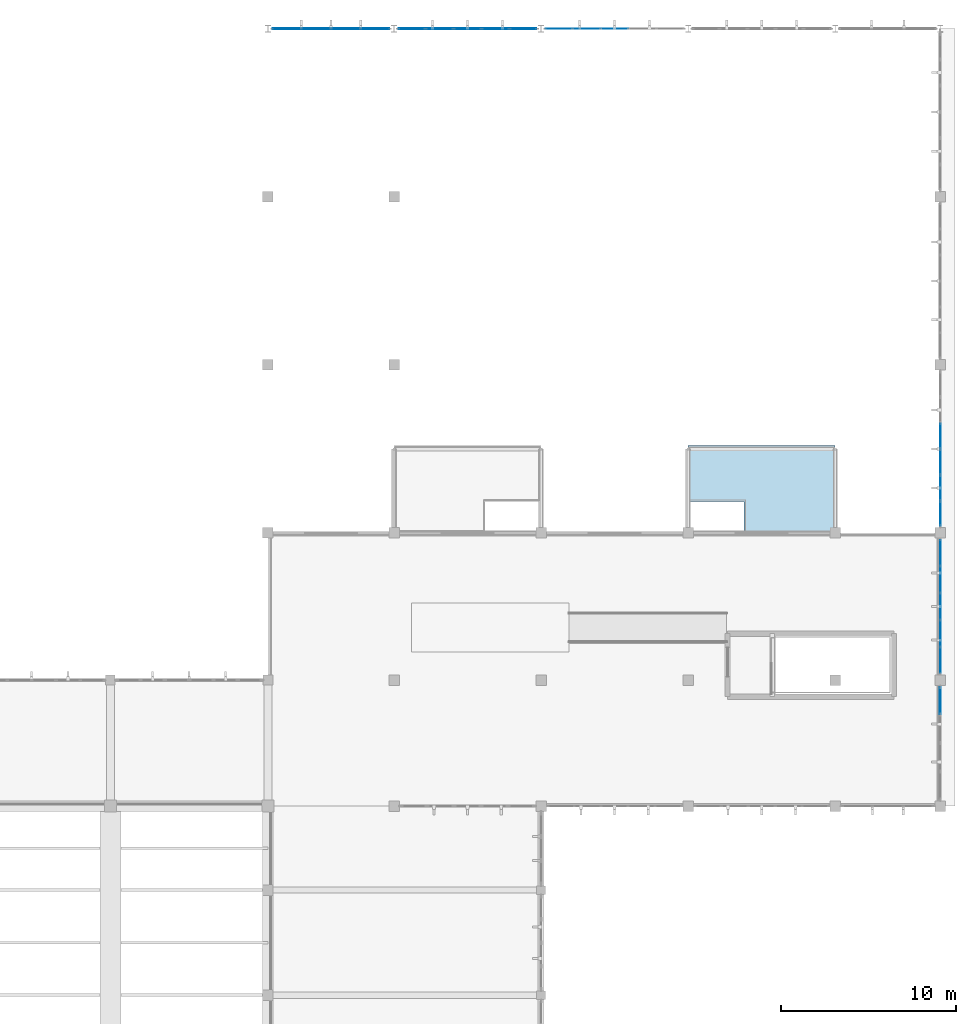
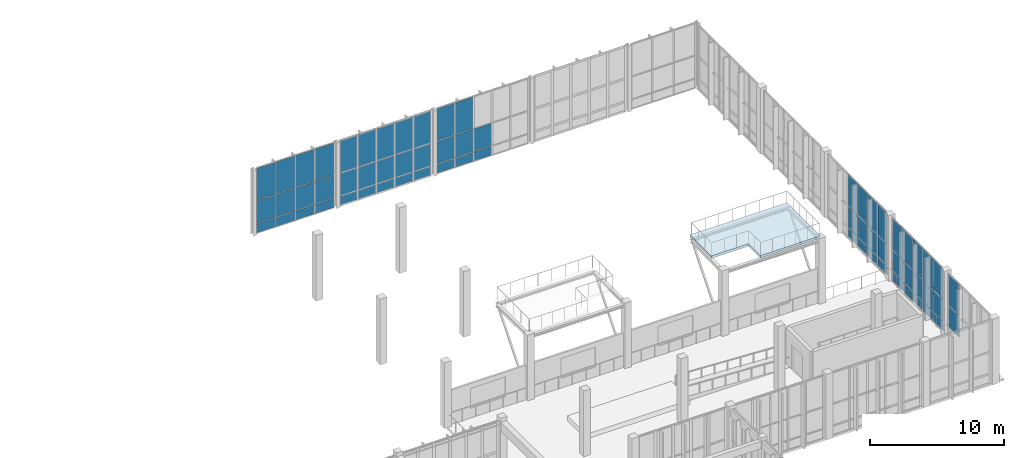
# One storey, part 67 of 105: 64 plates, 1 slab, 6 elements without a shape of their own.
"""IFC4 building model written with IfcOpenShell, lengths in metres."""

from ifc_helpers import new_model, si_unit, direction, frame, origin, origin_2d, place, context, subcontext, project, spatial, polyline, rectangle, outline, extrude, material, layer, layer_set, type_object, element, aggregate, save


model = new_model("IFC4")

# Units and contexts
model_context = context("Model", 3, precision=1e-05, world=origin(), true_north=direction((0.0, 1.0)))
body_context = subcontext(model_context, "Body", "Model", "MODEL_VIEW")
ifc_project = project(units=[si_unit("LENGTHUNIT", "METRE"), si_unit("AREAUNIT", "SQUARE_METRE"), si_unit("VOLUMEUNIT", "CUBIC_METRE"), si_unit("PLANEANGLEUNIT", "RADIAN"), si_unit("MASSUNIT", "GRAM", prefix="KILO")], contexts=[model_context])

# Site, building, storey
site_placement = place(None, origin())
site = spatial("IfcSite", under=ifc_project, at=site_placement, CompositionType="ELEMENT")
building_placement = place(site_placement, origin())
building = spatial("IfcBuilding", under=site, at=building_placement, Name="Tizgana Railside Sports Hall", CompositionType="ELEMENT")
storey_placement = place(building_placement, frame((0.0, 0.0, 6.0)))
storey = spatial("IfcBuildingStorey", under=building, at=storey_placement, Name="L01", CompositionType="ELEMENT", Elevation=6.0)

# Curtain wall, plates
ifc_material_1 = material(Name="Anodised aluminium and glass", Category="aluminium")
curtain_wall_type_1 = type_object("IfcCurtainWallType", Name="Unitised Curtain Wall Passage 1800", PredefinedType="NOTDEFINED", material=ifc_material_1)
curtain_wall_1_placement = place(storey_placement, origin())
curtain_wall_1 = element("IfcCurtainWall", 1, at=curtain_wall_1_placement, inside=storey, type_object=curtain_wall_type_1, Name="L01 Curtain Wall CW-0045", PredefinedType="NOTDEFINED")
ifc_material_2 = material(Name="Double low-E laminated glass", Category="glass")
ifc_layer_1 = layer(ifc_material_2, 0.033935546875, Name="Double low-E laminated glass")
ifc_layer_set_1 = layer_set([ifc_layer_1], Name="Double low-E laminated glass")
plate_type_1 = type_object("IfcPlateType", Name="Acoustic Laminated Glazing Panel 34", PredefinedType="CURTAIN_PANEL", material=ifc_layer_set_1)
plate_1_placement = place(storey_placement, frame((142.020263671875, 117.60009765625, 0.06494140625), z_axis=(0.0, 0.0, 1.0), x_axis=(1.0, 0.0, 0.0)))
plate_1 = element("IfcPlate", 2, at=plate_1_placement, type_object=plate_type_1, Name="CW-06 panel 1.1", PredefinedType="CURTAIN_PANEL", context=body_context, shape_type="SweptSolid", body=[
    extrude(rectangle(XDim=1.50048828125, YDim=0.033935546875, at=origin_2d()), origin(), (0.0, 0.0, 1.0), 0.802490234375),
])
plate_2_placement = place(storey_placement, frame((142.020263671875, 117.60009765625, 0.9326171875), z_axis=(0.0, 0.0, 1.0), x_axis=(1.0, 0.0, 0.0)))
plate_2 = element("IfcPlate", 3, at=plate_2_placement, type_object=plate_type_1, Name="CW-06 panel 1.2", PredefinedType="CURTAIN_PANEL", context=body_context, shape_type="SweptSolid", body=[
    extrude(rectangle(XDim=1.50048828125, YDim=0.033935546875, at=origin_2d()), origin(), (0.0, 0.0, 1.0), 2.034912109375),
])
plate_3_placement = place(storey_placement, frame((142.020263671875, 117.60009765625, 3.0322265625), z_axis=(0.0, 0.0, 1.0), x_axis=(1.0, 0.0, 0.0)))
plate_3 = element("IfcPlate", 4, at=plate_3_placement, type_object=plate_type_1, Name="CW-06 panel 1.3", PredefinedType="CURTAIN_PANEL", context=body_context, shape_type="SweptSolid", body=[
    extrude(rectangle(XDim=1.50048828125, YDim=0.033935546875, at=origin_2d()), origin(), (0.0, 0.0, 1.0), 2.902587890625),
])
plate_4_placement = place(storey_placement, frame((143.60205078125, 117.60009765625, 0.06494140625), z_axis=(0.0, 0.0, 1.0), x_axis=(1.0, 0.0, 0.0)))
plate_4 = element("IfcPlate", 5, at=plate_4_placement, type_object=plate_type_1, Name="CW-06 panel 2.1", PredefinedType="CURTAIN_PANEL", context=body_context, shape_type="SweptSolid", body=[
    extrude(rectangle(XDim=1.532958984375, YDim=0.033935546875, at=origin_2d()), origin(), (0.0, 0.0, 1.0), 0.802490234375),
])
plate_5_placement = place(storey_placement, frame((143.60205078125, 117.60009765625, 0.9326171875), z_axis=(0.0, 0.0, 1.0), x_axis=(1.0, 0.0, 0.0)))
plate_5 = element("IfcPlate", 6, at=plate_5_placement, type_object=plate_type_1, Name="CW-06 panel 2.2", PredefinedType="CURTAIN_PANEL", context=body_context, shape_type="SweptSolid", body=[
    extrude(rectangle(XDim=1.532958984375, YDim=0.033935546875, at=origin_2d()), origin(), (0.0, 0.0, 1.0), 2.034912109375),
])
plate_6_placement = place(storey_placement, frame((143.60205078125, 117.60009765625, 3.0322265625), z_axis=(0.0, 0.0, 1.0), x_axis=(1.0, 0.0, 0.0)))
plate_6 = element("IfcPlate", 7, at=plate_6_placement, type_object=plate_type_1, Name="CW-06 panel 2.3", PredefinedType="CURTAIN_PANEL", context=body_context, shape_type="SweptSolid", body=[
    extrude(rectangle(XDim=1.532958984375, YDim=0.033935546875, at=origin_2d()), origin(), (0.0, 0.0, 1.0), 2.902587890625),
])
plate_7_placement = place(storey_placement, frame((145.199951171875, 117.60009765625, 0.06494140625), z_axis=(0.0, 0.0, 1.0), x_axis=(1.0, 0.0, 0.0)))
plate_7 = element("IfcPlate", 8, at=plate_7_placement, type_object=plate_type_1, Name="CW-06 panel 3.1", PredefinedType="CURTAIN_PANEL", context=body_context, shape_type="SweptSolid", body=[
    extrude(rectangle(XDim=1.532958984375, YDim=0.033935546875, at=origin_2d()), origin(), (0.0, 0.0, 1.0), 0.802490234375),
])
plate_8_placement = place(storey_placement, frame((145.199951171875, 117.60009765625, 0.9326171875), z_axis=(0.0, 0.0, 1.0), x_axis=(1.0, 0.0, 0.0)))
plate_8 = element("IfcPlate", 9, at=plate_8_placement, type_object=plate_type_1, Name="CW-06 panel 3.2", PredefinedType="CURTAIN_PANEL", context=body_context, shape_type="SweptSolid", body=[
    extrude(rectangle(XDim=1.532958984375, YDim=0.033935546875, at=origin_2d()), origin(), (0.0, 0.0, 1.0), 2.034912109375),
])
plate_9_placement = place(storey_placement, frame((145.199951171875, 117.60009765625, 3.0322265625), z_axis=(0.0, 0.0, 1.0), x_axis=(1.0, 0.0, 0.0)))
plate_9 = element("IfcPlate", 10, at=plate_9_placement, type_object=plate_type_1, Name="CW-06 panel 3.3", PredefinedType="CURTAIN_PANEL", context=body_context, shape_type="SweptSolid", body=[
    extrude(rectangle(XDim=1.532958984375, YDim=0.033935546875, at=origin_2d()), origin(), (0.0, 0.0, 1.0), 2.902587890625),
])
plate_10_placement = place(storey_placement, frame((146.798095703125, 117.60009765625, 0.06494140625), z_axis=(0.0, 0.0, 1.0), x_axis=(1.0, 0.0, 0.0)))
plate_10 = element("IfcPlate", 11, at=plate_10_placement, type_object=plate_type_1, Name="CW-06 panel 4.1", PredefinedType="CURTAIN_PANEL", context=body_context, shape_type="SweptSolid", body=[
    extrude(rectangle(XDim=1.532958984375, YDim=0.033935546875, at=origin_2d()), origin(), (0.0, 0.0, 1.0), 0.802490234375),
])
plate_11_placement = place(storey_placement, frame((146.798095703125, 117.60009765625, 0.9326171875), z_axis=(0.0, 0.0, 1.0), x_axis=(1.0, 0.0, 0.0)))
plate_11 = element("IfcPlate", 12, at=plate_11_placement, type_object=plate_type_1, Name="CW-06 panel 4.2", PredefinedType="CURTAIN_PANEL", context=body_context, shape_type="SweptSolid", body=[
    extrude(rectangle(XDim=1.532958984375, YDim=0.033935546875, at=origin_2d()), origin(), (0.0, 0.0, 1.0), 2.034912109375),
])
plate_12_placement = place(storey_placement, frame((146.798095703125, 117.60009765625, 3.0322265625), z_axis=(0.0, 0.0, 1.0), x_axis=(1.0, 0.0, 0.0)))
plate_12 = element("IfcPlate", 13, at=plate_12_placement, type_object=plate_type_1, Name="CW-06 panel 4.3", PredefinedType="CURTAIN_PANEL", context=body_context, shape_type="SweptSolid", body=[
    extrude(rectangle(XDim=1.532958984375, YDim=0.033935546875, at=origin_2d()), origin(), (0.0, 0.0, 1.0), 2.902587890625),
])
plate_13_placement = place(storey_placement, frame((148.379638671875, 117.60009765625, 0.06494140625), z_axis=(0.0, 0.0, 1.0), x_axis=(1.0, 0.0, 0.0)))
plate_13 = element("IfcPlate", 14, at=plate_13_placement, type_object=plate_type_1, Name="CW-06 panel 5.1", PredefinedType="CURTAIN_PANEL", context=body_context, shape_type="SweptSolid", body=[
    extrude(rectangle(XDim=1.50048828125, YDim=0.033935546875, at=origin_2d()), origin(), (0.0, 0.0, 1.0), 0.802490234375),
])
plate_14_placement = place(storey_placement, frame((148.379638671875, 117.60009765625, 0.9326171875), z_axis=(0.0, 0.0, 1.0), x_axis=(1.0, 0.0, 0.0)))
plate_14 = element("IfcPlate", 15, at=plate_14_placement, type_object=plate_type_1, Name="CW-06 panel 5.2", PredefinedType="CURTAIN_PANEL", context=body_context, shape_type="SweptSolid", body=[
    extrude(rectangle(XDim=1.50048828125, YDim=0.033935546875, at=origin_2d()), origin(), (0.0, 0.0, 1.0), 2.034912109375),
])
plate_15_placement = place(storey_placement, frame((148.379638671875, 117.60009765625, 3.0322265625), z_axis=(0.0, 0.0, 1.0), x_axis=(1.0, 0.0, 0.0)))
plate_15 = element("IfcPlate", 16, at=plate_15_placement, type_object=plate_type_1, Name="CW-06 panel 5.3", PredefinedType="CURTAIN_PANEL", context=body_context, shape_type="SweptSolid", body=[
    extrude(rectangle(XDim=1.50048828125, YDim=0.033935546875, at=origin_2d()), origin(), (0.0, 0.0, 1.0), 2.902587890625),
])
aggregate(curtain_wall_1, [plate_1, plate_2, plate_3, plate_4, plate_5, plate_6, plate_7, plate_8, plate_9, plate_10, plate_11, plate_12, plate_13, plate_14, plate_15])

curtain_wall_type_2 = type_object("IfcCurtainWallType", Name="Unitised Curtain Wall Foyer 1300", PredefinedType="NOTDEFINED", material=ifc_material_1)
curtain_wall_2_placement = place(storey_placement, origin())
curtain_wall_2 = element("IfcCurtainWall", 17, at=curtain_wall_2_placement, inside=storey, type_object=curtain_wall_type_2, Name="L01 Curtain Wall CW-0057", PredefinedType="NOTDEFINED")
plate_16_placement = place(storey_placement, frame((172.199951171875, 79.217529296875, 0.932373046875), z_axis=(0.0, 0.0, 1.0), x_axis=(0.0, 1.0, 0.0)))
plate_16 = element("IfcPlate", 18, at=plate_16_placement, type_object=plate_type_1, Name="CW-02 panel 4.2", PredefinedType="CURTAIN_PANEL", context=body_context, shape_type="SweptSolid", body=[
    extrude(rectangle(XDim=1.52490234375, YDim=0.033935546875, at=origin_2d()), origin(), (0.0, 0.0, 1.0), 1.93505859375),
])
plate_17_placement = place(storey_placement, frame((172.199951171875, 79.217529296875, 2.9326171875), z_axis=(0.0, 0.0, 1.0), x_axis=(0.0, 1.0, 0.0)))
plate_17 = element("IfcPlate", 19, at=plate_17_placement, type_object=plate_type_1, Name="CW-02 panel 4.3", PredefinedType="CURTAIN_PANEL", context=body_context, shape_type="SweptSolid", body=[
    extrude(rectangle(XDim=1.52490234375, YDim=0.033935546875, at=origin_2d()), origin(), (0.0, 0.0, 1.0), 2.802490234375),
])
aggregate(curtain_wall_2, [plate_16, plate_17])

curtain_wall_type_3 = type_object("IfcCurtainWallType", Name="Unitised Curtain Wall Studio 1400", PredefinedType="NOTDEFINED", material=ifc_material_1)
curtain_wall_3_placement = place(storey_placement, origin())
curtain_wall_3 = element("IfcCurtainWall", 20, at=curtain_wall_3_placement, inside=storey, type_object=curtain_wall_type_3, Name="L01 Curtain Wall CW-0042", PredefinedType="NOTDEFINED")
ifc_layer_2 = layer(ifc_material_2, 0.0400390625, Name="Double low-E laminated glass")
ifc_layer_set_2 = layer_set([ifc_layer_2], Name="Double low-E laminated glass")
plate_type_2 = type_object("IfcPlateType", Name="High-Span Tempered Glazing Panel 40", PredefinedType="CURTAIN_PANEL", material=ifc_layer_set_2)
plate_18_placement = place(storey_placement, frame((134.86865234375, 117.60009765625, 0.06005859375), z_axis=(0.0, 0.0, 1.0), x_axis=(1.0, 0.0, 0.0)))
plate_18 = element("IfcPlate", 21, at=plate_18_placement, type_object=plate_type_2, Name="CW-03 panel 1.1", PredefinedType="CURTAIN_PANEL", context=body_context, shape_type="SweptSolid", body=[
    extrude(rectangle(XDim=1.607421875, YDim=0.0400390625, at=origin_2d()), origin(), (0.0, 0.0, 1.0), 0.81005859375),
])
plate_19_placement = place(storey_placement, frame((134.86865234375, 117.60009765625, 0.929931640625), z_axis=(0.0, 0.0, 1.0), x_axis=(1.0, 0.0, 0.0)))
plate_19 = element("IfcPlate", 22, at=plate_19_placement, type_object=plate_type_2, Name="CW-03 panel 1.2", PredefinedType="CURTAIN_PANEL", context=body_context, shape_type="SweptSolid", body=[
    extrude(rectangle(XDim=1.607421875, YDim=0.0400390625, at=origin_2d()), origin(), (0.0, 0.0, 1.0), 2.0400390625),
])
plate_20_placement = place(storey_placement, frame((134.86865234375, 117.60009765625, 3.0302734375), z_axis=(0.0, 0.0, 1.0), x_axis=(1.0, 0.0, 0.0)))
plate_20 = element("IfcPlate", 23, at=plate_20_placement, type_object=plate_type_2, Name="CW-03 panel 1.3", PredefinedType="CURTAIN_PANEL", context=body_context, shape_type="SweptSolid", body=[
    extrude(rectangle(XDim=1.607421875, YDim=0.0400390625, at=origin_2d()), origin(), (0.0, 0.0, 1.0), 2.909912109375),
])
plate_21_placement = place(storey_placement, frame((136.55126953125, 117.60009765625, 0.06005859375), z_axis=(0.0, 0.0, 1.0), x_axis=(1.0, 0.0, 0.0)))
plate_21 = element("IfcPlate", 24, at=plate_21_placement, type_object=plate_type_2, Name="CW-03 panel 2.1", PredefinedType="CURTAIN_PANEL", context=body_context, shape_type="SweptSolid", body=[
    extrude(rectangle(XDim=1.637451171875, YDim=0.0400390625, at=origin_2d()), origin(), (0.0, 0.0, 1.0), 0.81005859375),
])
plate_22_placement = place(storey_placement, frame((136.55126953125, 117.60009765625, 0.929931640625), z_axis=(0.0, 0.0, 1.0), x_axis=(1.0, 0.0, 0.0)))
plate_22 = element("IfcPlate", 25, at=plate_22_placement, type_object=plate_type_2, Name="CW-03 panel 2.2", PredefinedType="CURTAIN_PANEL", context=body_context, shape_type="SweptSolid", body=[
    extrude(rectangle(XDim=1.637451171875, YDim=0.0400390625, at=origin_2d()), origin(), (0.0, 0.0, 1.0), 2.0400390625),
])
plate_23_placement = place(storey_placement, frame((136.55126953125, 117.60009765625, 3.0302734375), z_axis=(0.0, 0.0, 1.0), x_axis=(1.0, 0.0, 0.0)))
plate_23 = element("IfcPlate", 26, at=plate_23_placement, type_object=plate_type_2, Name="CW-03 panel 2.3", PredefinedType="CURTAIN_PANEL", context=body_context, shape_type="SweptSolid", body=[
    extrude(rectangle(XDim=1.637451171875, YDim=0.0400390625, at=origin_2d()), origin(), (0.0, 0.0, 1.0), 2.909912109375),
])
plate_24_placement = place(storey_placement, frame((138.248779296875, 117.60009765625, 0.06005859375), z_axis=(0.0, 0.0, 1.0), x_axis=(1.0, 0.0, 0.0)))
plate_24 = element("IfcPlate", 27, at=plate_24_placement, type_object=plate_type_2, Name="CW-03 panel 3.1", PredefinedType="CURTAIN_PANEL", context=body_context, shape_type="SweptSolid", body=[
    extrude(rectangle(XDim=1.637451171875, YDim=0.0400390625, at=origin_2d()), origin(), (0.0, 0.0, 1.0), 0.81005859375),
])
plate_25_placement = place(storey_placement, frame((138.248779296875, 117.60009765625, 0.929931640625), z_axis=(0.0, 0.0, 1.0), x_axis=(1.0, 0.0, 0.0)))
plate_25 = element("IfcPlate", 28, at=plate_25_placement, type_object=plate_type_2, Name="CW-03 panel 3.2", PredefinedType="CURTAIN_PANEL", context=body_context, shape_type="SweptSolid", body=[
    extrude(rectangle(XDim=1.637451171875, YDim=0.0400390625, at=origin_2d()), origin(), (0.0, 0.0, 1.0), 2.0400390625),
])
plate_26_placement = place(storey_placement, frame((138.248779296875, 117.60009765625, 3.0302734375), z_axis=(0.0, 0.0, 1.0), x_axis=(1.0, 0.0, 0.0)))
plate_26 = element("IfcPlate", 29, at=plate_26_placement, type_object=plate_type_2, Name="CW-03 panel 3.3", PredefinedType="CURTAIN_PANEL", context=body_context, shape_type="SweptSolid", body=[
    extrude(rectangle(XDim=1.637451171875, YDim=0.0400390625, at=origin_2d()), origin(), (0.0, 0.0, 1.0), 2.909912109375),
])
plate_27_placement = place(storey_placement, frame((139.93115234375, 117.60009765625, 0.06005859375), z_axis=(0.0, 0.0, 1.0), x_axis=(1.0, 0.0, 0.0)))
plate_27 = element("IfcPlate", 30, at=plate_27_placement, type_object=plate_type_2, Name="CW-03 panel 4.1", PredefinedType="CURTAIN_PANEL", context=body_context, shape_type="SweptSolid", body=[
    extrude(rectangle(XDim=1.607421875, YDim=0.0400390625, at=origin_2d()), origin(), (0.0, 0.0, 1.0), 0.81005859375),
])
plate_28_placement = place(storey_placement, frame((139.93115234375, 117.60009765625, 0.929931640625), z_axis=(0.0, 0.0, 1.0), x_axis=(1.0, 0.0, 0.0)))
plate_28 = element("IfcPlate", 31, at=plate_28_placement, type_object=plate_type_2, Name="CW-03 panel 4.2", PredefinedType="CURTAIN_PANEL", context=body_context, shape_type="SweptSolid", body=[
    extrude(rectangle(XDim=1.607421875, YDim=0.0400390625, at=origin_2d()), origin(), (0.0, 0.0, 1.0), 2.0400390625),
])
plate_29_placement = place(storey_placement, frame((139.93115234375, 117.60009765625, 3.0302734375), z_axis=(0.0, 0.0, 1.0), x_axis=(1.0, 0.0, 0.0)))
plate_29 = element("IfcPlate", 32, at=plate_29_placement, type_object=plate_type_2, Name="CW-03 panel 4.3", PredefinedType="CURTAIN_PANEL", context=body_context, shape_type="SweptSolid", body=[
    extrude(rectangle(XDim=1.607421875, YDim=0.0400390625, at=origin_2d()), origin(), (0.0, 0.0, 1.0), 2.909912109375),
])
aggregate(curtain_wall_3, [plate_18, plate_19, plate_20, plate_21, plate_22, plate_23, plate_24, plate_25, plate_26, plate_27, plate_28, plate_29])

curtain_wall_type_4 = type_object("IfcCurtainWallType", Name="Unitised Curtain Wall EastHall 1500", PredefinedType="NOTDEFINED", material=ifc_material_1)
curtain_wall_4_placement = place(storey_placement, origin())
curtain_wall_4 = element("IfcCurtainWall", 33, at=curtain_wall_4_placement, inside=storey, type_object=curtain_wall_type_4, Name="L01 Curtain Wall CW-0063", PredefinedType="NOTDEFINED")
ifc_layer_3 = layer(ifc_material_2, 0.031982421875, Name="Double low-E laminated glass")
ifc_layer_set_3 = layer_set([ifc_layer_3], Name="Double low-E laminated glass")
plate_type_3 = type_object("IfcPlateType", Name="North-Light Clerestory Glazing Panel 32", PredefinedType="CURTAIN_PANEL", material=ifc_layer_set_3)
plate_30_placement = place(storey_placement, frame((172.199951171875, 89.912109375, 0.06494140625), z_axis=(0.0, 0.0, 1.0), x_axis=(0.0, 1.0, 0.0)))
plate_30 = element("IfcPlate", 34, at=plate_30_placement, type_object=plate_type_3, Name="CW-08 panel 1.1", PredefinedType="CURTAIN_PANEL", context=body_context, shape_type="SweptSolid", body=[
    extrude(rectangle(XDim=1.38427734375, YDim=0.031982421875, at=origin_2d()), origin(), (0.0, 0.0, 1.0), 0.802490234375),
])
plate_31_placement = place(storey_placement, frame((172.199951171875, 89.912109375, 0.932373046875), z_axis=(0.0, 0.0, 1.0), x_axis=(0.0, 1.0, 0.0)))
plate_31 = element("IfcPlate", 35, at=plate_31_placement, type_object=plate_type_3, Name="CW-08 panel 1.2", PredefinedType="CURTAIN_PANEL", context=body_context, shape_type="SweptSolid", body=[
    extrude(rectangle(XDim=1.38427734375, YDim=0.031982421875, at=origin_2d()), origin(), (0.0, 0.0, 1.0), 1.93505859375),
])
plate_32_placement = place(storey_placement, frame((172.199951171875, 89.912109375, 2.9326171875), z_axis=(0.0, 0.0, 1.0), x_axis=(0.0, 1.0, 0.0)))
plate_32 = element("IfcPlate", 36, at=plate_32_placement, type_object=plate_type_3, Name="CW-08 panel 1.3", PredefinedType="CURTAIN_PANEL", context=body_context, shape_type="SweptSolid", body=[
    extrude(rectangle(XDim=1.38427734375, YDim=0.031982421875, at=origin_2d()), origin(), (0.0, 0.0, 1.0), 2.802490234375),
])
plate_33_placement = place(storey_placement, frame((172.199951171875, 91.37744140625, 0.06494140625), z_axis=(0.0, 0.0, 1.0), x_axis=(0.0, 1.0, 0.0)))
plate_33 = element("IfcPlate", 37, at=plate_33_placement, type_object=plate_type_3, Name="CW-08 panel 2.1", PredefinedType="CURTAIN_PANEL", context=body_context, shape_type="SweptSolid", body=[
    extrude(rectangle(XDim=1.416748046875, YDim=0.031982421875, at=origin_2d()), origin(), (0.0, 0.0, 1.0), 0.802490234375),
])
plate_34_placement = place(storey_placement, frame((172.199951171875, 91.37744140625, 0.932373046875), z_axis=(0.0, 0.0, 1.0), x_axis=(0.0, 1.0, 0.0)))
plate_34 = element("IfcPlate", 38, at=plate_34_placement, type_object=plate_type_3, Name="CW-08 panel 2.2", PredefinedType="CURTAIN_PANEL", context=body_context, shape_type="SweptSolid", body=[
    extrude(rectangle(XDim=1.416748046875, YDim=0.031982421875, at=origin_2d()), origin(), (0.0, 0.0, 1.0), 1.93505859375),
])
plate_35_placement = place(storey_placement, frame((172.199951171875, 91.37744140625, 2.9326171875), z_axis=(0.0, 0.0, 1.0), x_axis=(0.0, 1.0, 0.0)))
plate_35 = element("IfcPlate", 39, at=plate_35_placement, type_object=plate_type_3, Name="CW-08 panel 2.3", PredefinedType="CURTAIN_PANEL", context=body_context, shape_type="SweptSolid", body=[
    extrude(rectangle(XDim=1.416748046875, YDim=0.031982421875, at=origin_2d()), origin(), (0.0, 0.0, 1.0), 2.802490234375),
])
plate_36_placement = place(storey_placement, frame((172.199951171875, 92.859130859375, 0.06494140625), z_axis=(0.0, 0.0, 1.0), x_axis=(0.0, 1.0, 0.0)))
plate_36 = element("IfcPlate", 40, at=plate_36_placement, type_object=plate_type_3, Name="CW-08 panel 3.1", PredefinedType="CURTAIN_PANEL", context=body_context, shape_type="SweptSolid", body=[
    extrude(rectangle(XDim=1.416748046875, YDim=0.031982421875, at=origin_2d()), origin(), (0.0, 0.0, 1.0), 0.802490234375),
])
plate_37_placement = place(storey_placement, frame((172.199951171875, 92.859130859375, 0.932373046875), z_axis=(0.0, 0.0, 1.0), x_axis=(0.0, 1.0, 0.0)))
plate_37 = element("IfcPlate", 41, at=plate_37_placement, type_object=plate_type_3, Name="CW-08 panel 3.2", PredefinedType="CURTAIN_PANEL", context=body_context, shape_type="SweptSolid", body=[
    extrude(rectangle(XDim=1.416748046875, YDim=0.031982421875, at=origin_2d()), origin(), (0.0, 0.0, 1.0), 1.93505859375),
])
plate_38_placement = place(storey_placement, frame((172.199951171875, 92.859130859375, 2.9326171875), z_axis=(0.0, 0.0, 1.0), x_axis=(0.0, 1.0, 0.0)))
plate_38 = element("IfcPlate", 42, at=plate_38_placement, type_object=plate_type_3, Name="CW-08 panel 3.3", PredefinedType="CURTAIN_PANEL", context=body_context, shape_type="SweptSolid", body=[
    extrude(rectangle(XDim=1.416748046875, YDim=0.031982421875, at=origin_2d()), origin(), (0.0, 0.0, 1.0), 2.802490234375),
])
plate_39_placement = place(storey_placement, frame((172.199951171875, 94.3408203125, 0.06494140625), z_axis=(0.0, 0.0, 1.0), x_axis=(0.0, 1.0, 0.0)))
plate_39 = element("IfcPlate", 43, at=plate_39_placement, type_object=plate_type_3, Name="CW-08 panel 4.1", PredefinedType="CURTAIN_PANEL", context=body_context, shape_type="SweptSolid", body=[
    extrude(rectangle(XDim=1.416748046875, YDim=0.031982421875, at=origin_2d()), origin(), (0.0, 0.0, 1.0), 0.802490234375),
])
plate_40_placement = place(storey_placement, frame((172.199951171875, 94.3408203125, 0.932373046875), z_axis=(0.0, 0.0, 1.0), x_axis=(0.0, 1.0, 0.0)))
plate_40 = element("IfcPlate", 44, at=plate_40_placement, type_object=plate_type_3, Name="CW-08 panel 4.2", PredefinedType="CURTAIN_PANEL", context=body_context, shape_type="SweptSolid", body=[
    extrude(rectangle(XDim=1.416748046875, YDim=0.031982421875, at=origin_2d()), origin(), (0.0, 0.0, 1.0), 1.93505859375),
])
plate_41_placement = place(storey_placement, frame((172.199951171875, 94.3408203125, 2.9326171875), z_axis=(0.0, 0.0, 1.0), x_axis=(0.0, 1.0, 0.0)))
plate_41 = element("IfcPlate", 45, at=plate_41_placement, type_object=plate_type_3, Name="CW-08 panel 4.3", PredefinedType="CURTAIN_PANEL", context=body_context, shape_type="SweptSolid", body=[
    extrude(rectangle(XDim=1.416748046875, YDim=0.031982421875, at=origin_2d()), origin(), (0.0, 0.0, 1.0), 2.802490234375),
])
aggregate(curtain_wall_4, [plate_30, plate_31, plate_32, plate_33, plate_34, plate_35, plate_36, plate_37, plate_38, plate_39, plate_40, plate_41])

curtain_wall_type_5 = type_object("IfcCurtainWallType", Name="Unitised Curtain Wall Concourse 1500", PredefinedType="NOTDEFINED", material=ifc_material_1)
curtain_wall_5_placement = place(storey_placement, origin())
curtain_wall_5 = element("IfcCurtainWall", 46, at=curtain_wall_5_placement, inside=storey, type_object=curtain_wall_type_5, Name="L01 Curtain Wall CW-0048", PredefinedType="NOTDEFINED")
ifc_layer_4 = layer(ifc_material_2, 0.028076171875, Name="Double low-E laminated glass")
ifc_layer_set_4 = layer_set([ifc_layer_4], Name="Double low-E laminated glass")
plate_type_4 = type_object("IfcPlateType", Name="Solar Low-E Glazing Panel 28", PredefinedType="CURTAIN_PANEL", material=ifc_layer_set_4)
plate_42_placement = place(storey_placement, frame((150.4189453125, 117.60009765625, 0.06005859375), z_axis=(0.0, 0.0, 1.0), x_axis=(1.0, 0.0, 0.0)))
plate_42 = element("IfcPlate", 47, at=plate_42_placement, type_object=plate_type_4, Name="CW-01 panel 1.1", PredefinedType="CURTAIN_PANEL", context=body_context, shape_type="SweptSolid", body=[
    extrude(rectangle(XDim=1.508056640625, YDim=0.028076171875, at=origin_2d()), origin(), (0.0, 0.0, 1.0), 0.81005859375),
])
plate_43_placement = place(storey_placement, frame((150.4189453125, 117.60009765625, 0.929931640625), z_axis=(0.0, 0.0, 1.0), x_axis=(1.0, 0.0, 0.0)))
plate_43 = element("IfcPlate", 48, at=plate_43_placement, type_object=plate_type_4, Name="CW-01 panel 1.2", PredefinedType="CURTAIN_PANEL", context=body_context, shape_type="SweptSolid", body=[
    extrude(rectangle(XDim=1.508056640625, YDim=0.028076171875, at=origin_2d()), origin(), (0.0, 0.0, 1.0), 2.0400390625),
])
plate_44_placement = place(storey_placement, frame((150.4189453125, 117.60009765625, 3.0302734375), z_axis=(0.0, 0.0, 1.0), x_axis=(1.0, 0.0, 0.0)))
plate_44 = element("IfcPlate", 49, at=plate_44_placement, type_object=plate_type_4, Name="CW-01 panel 1.3", PredefinedType="CURTAIN_PANEL", context=body_context, shape_type="SweptSolid", body=[
    extrude(rectangle(XDim=1.508056640625, YDim=0.028076171875, at=origin_2d()), origin(), (0.0, 0.0, 1.0), 2.909912109375),
])
plate_45_placement = place(storey_placement, frame((152.001953125, 117.60009765625, 0.06005859375), z_axis=(0.0, 0.0, 1.0), x_axis=(1.0, 0.0, 0.0)))
plate_45 = element("IfcPlate", 50, at=plate_45_placement, type_object=plate_type_4, Name="CW-01 panel 2.1", PredefinedType="CURTAIN_PANEL", context=body_context, shape_type="SweptSolid", body=[
    extrude(rectangle(XDim=1.5380859375, YDim=0.028076171875, at=origin_2d()), origin(), (0.0, 0.0, 1.0), 0.81005859375),
])
plate_46_placement = place(storey_placement, frame((152.001953125, 117.60009765625, 0.929931640625), z_axis=(0.0, 0.0, 1.0), x_axis=(1.0, 0.0, 0.0)))
plate_46 = element("IfcPlate", 51, at=plate_46_placement, type_object=plate_type_4, Name="CW-01 panel 2.2", PredefinedType="CURTAIN_PANEL", context=body_context, shape_type="SweptSolid", body=[
    extrude(rectangle(XDim=1.5380859375, YDim=0.028076171875, at=origin_2d()), origin(), (0.0, 0.0, 1.0), 2.0400390625),
])
plate_47_placement = place(storey_placement, frame((152.001953125, 117.60009765625, 3.0302734375), z_axis=(0.0, 0.0, 1.0), x_axis=(1.0, 0.0, 0.0)))
plate_47 = element("IfcPlate", 52, at=plate_47_placement, type_object=plate_type_4, Name="CW-01 panel 2.3", PredefinedType="CURTAIN_PANEL", context=body_context, shape_type="SweptSolid", body=[
    extrude(rectangle(XDim=1.5380859375, YDim=0.028076171875, at=origin_2d()), origin(), (0.0, 0.0, 1.0), 2.909912109375),
])
plate_48_placement = place(storey_placement, frame((153.60009765625, 117.60009765625, 0.06005859375), z_axis=(0.0, 0.0, 1.0), x_axis=(1.0, 0.0, 0.0)))
plate_48 = element("IfcPlate", 53, at=plate_48_placement, type_object=plate_type_4, Name="CW-01 panel 3.1", PredefinedType="CURTAIN_PANEL", context=body_context, shape_type="SweptSolid", body=[
    extrude(rectangle(XDim=1.5380859375, YDim=0.028076171875, at=origin_2d()), origin(), (0.0, 0.0, 1.0), 0.81005859375),
])
plate_49_placement = place(storey_placement, frame((153.60009765625, 117.60009765625, 0.929931640625), z_axis=(0.0, 0.0, 1.0), x_axis=(1.0, 0.0, 0.0)))
plate_49 = element("IfcPlate", 54, at=plate_49_placement, type_object=plate_type_4, Name="CW-01 panel 3.2", PredefinedType="CURTAIN_PANEL", context=body_context, shape_type="SweptSolid", body=[
    extrude(rectangle(XDim=1.5380859375, YDim=0.028076171875, at=origin_2d()), origin(), (0.0, 0.0, 1.0), 2.0400390625),
])
aggregate(curtain_wall_5, [plate_42, plate_43, plate_44, plate_45, plate_46, plate_47, plate_48, plate_49])

curtain_wall_type_6 = type_object("IfcCurtainWallType", Name="Unitised Curtain Wall Clinic 1200", PredefinedType="NOTDEFINED", material=ifc_material_1)
curtain_wall_6_placement = place(storey_placement, origin())
curtain_wall_6 = element("IfcCurtainWall", 55, at=curtain_wall_6_placement, inside=storey, type_object=curtain_wall_type_6, Name="L01 Curtain Wall CW-0060", PredefinedType="NOTDEFINED")
plate_50_placement = place(storey_placement, frame((172.199951171875, 81.5390625, 0.06005859375), z_axis=(0.0, 0.0, 1.0), x_axis=(0.0, 1.0, 0.0)))
plate_50 = element("IfcPlate", 56, at=plate_50_placement, type_object=plate_type_4, Name="CW-05 panel 1.1", PredefinedType="CURTAIN_PANEL", context=body_context, shape_type="SweptSolid", body=[
    extrude(rectangle(XDim=1.447998046875, YDim=0.028076171875, at=origin_2d()), origin(), (0.0, 0.0, 1.0), 0.81005859375),
])
plate_51_placement = place(storey_placement, frame((172.199951171875, 81.5390625, 0.929931640625), z_axis=(0.0, 0.0, 1.0), x_axis=(0.0, 1.0, 0.0)))
plate_51 = element("IfcPlate", 57, at=plate_51_placement, type_object=plate_type_4, Name="CW-05 panel 1.2", PredefinedType="CURTAIN_PANEL", context=body_context, shape_type="SweptSolid", body=[
    extrude(rectangle(XDim=1.447998046875, YDim=0.028076171875, at=origin_2d()), origin(), (0.0, 0.0, 1.0), 1.93994140625),
])
plate_52_placement = place(storey_placement, frame((172.199951171875, 81.5390625, 2.929931640625), z_axis=(0.0, 0.0, 1.0), x_axis=(0.0, 1.0, 0.0)))
plate_52 = element("IfcPlate", 58, at=plate_52_placement, type_object=plate_type_4, Name="CW-05 panel 1.3", PredefinedType="CURTAIN_PANEL", context=body_context, shape_type="SweptSolid", body=[
    extrude(rectangle(XDim=1.447998046875, YDim=0.028076171875, at=origin_2d()), origin(), (0.0, 0.0, 1.0), 2.81005859375),
])
plate_53_placement = place(storey_placement, frame((172.199951171875, 83.06201171875, 0.06005859375), z_axis=(0.0, 0.0, 1.0), x_axis=(0.0, 1.0, 0.0)))
plate_53 = element("IfcPlate", 59, at=plate_53_placement, type_object=plate_type_4, Name="CW-05 panel 2.1", PredefinedType="CURTAIN_PANEL", context=body_context, shape_type="SweptSolid", body=[
    extrude(rectangle(XDim=1.47802734375, YDim=0.028076171875, at=origin_2d()), origin(), (0.0, 0.0, 1.0), 0.81005859375),
])
plate_54_placement = place(storey_placement, frame((172.199951171875, 83.06201171875, 0.929931640625), z_axis=(0.0, 0.0, 1.0), x_axis=(0.0, 1.0, 0.0)))
plate_54 = element("IfcPlate", 60, at=plate_54_placement, type_object=plate_type_4, Name="CW-05 panel 2.2", PredefinedType="CURTAIN_PANEL", context=body_context, shape_type="SweptSolid", body=[
    extrude(rectangle(XDim=1.47802734375, YDim=0.028076171875, at=origin_2d()), origin(), (0.0, 0.0, 1.0), 1.93994140625),
])
plate_55_placement = place(storey_placement, frame((172.199951171875, 83.06201171875, 2.929931640625), z_axis=(0.0, 0.0, 1.0), x_axis=(0.0, 1.0, 0.0)))
plate_55 = element("IfcPlate", 61, at=plate_55_placement, type_object=plate_type_4, Name="CW-05 panel 2.3", PredefinedType="CURTAIN_PANEL", context=body_context, shape_type="SweptSolid", body=[
    extrude(rectangle(XDim=1.47802734375, YDim=0.028076171875, at=origin_2d()), origin(), (0.0, 0.0, 1.0), 2.81005859375),
])
plate_56_placement = place(storey_placement, frame((172.199951171875, 84.60009765625, 0.06005859375), z_axis=(0.0, 0.0, 1.0), x_axis=(0.0, 1.0, 0.0)))
plate_56 = element("IfcPlate", 62, at=plate_56_placement, type_object=plate_type_4, Name="CW-05 panel 3.1", PredefinedType="CURTAIN_PANEL", context=body_context, shape_type="SweptSolid", body=[
    extrude(rectangle(XDim=1.47802734375, YDim=0.028076171875, at=origin_2d()), origin(), (0.0, 0.0, 1.0), 0.81005859375),
])
plate_57_placement = place(storey_placement, frame((172.199951171875, 84.60009765625, 0.929931640625), z_axis=(0.0, 0.0, 1.0), x_axis=(0.0, 1.0, 0.0)))
plate_57 = element("IfcPlate", 63, at=plate_57_placement, type_object=plate_type_4, Name="CW-05 panel 3.2", PredefinedType="CURTAIN_PANEL", context=body_context, shape_type="SweptSolid", body=[
    extrude(rectangle(XDim=1.47802734375, YDim=0.028076171875, at=origin_2d()), origin(), (0.0, 0.0, 1.0), 1.93994140625),
])
plate_58_placement = place(storey_placement, frame((172.199951171875, 84.60009765625, 2.929931640625), z_axis=(0.0, 0.0, 1.0), x_axis=(0.0, 1.0, 0.0)))
plate_58 = element("IfcPlate", 64, at=plate_58_placement, type_object=plate_type_4, Name="CW-05 panel 3.3", PredefinedType="CURTAIN_PANEL", context=body_context, shape_type="SweptSolid", body=[
    extrude(rectangle(XDim=1.47802734375, YDim=0.028076171875, at=origin_2d()), origin(), (0.0, 0.0, 1.0), 2.81005859375),
])
plate_59_placement = place(storey_placement, frame((172.199951171875, 86.137939453125, 0.06005859375), z_axis=(0.0, 0.0, 1.0), x_axis=(0.0, 1.0, 0.0)))
plate_59 = element("IfcPlate", 65, at=plate_59_placement, type_object=plate_type_4, Name="CW-05 panel 4.1", PredefinedType="CURTAIN_PANEL", context=body_context, shape_type="SweptSolid", body=[
    extrude(rectangle(XDim=1.47802734375, YDim=0.028076171875, at=origin_2d()), origin(), (0.0, 0.0, 1.0), 0.81005859375),
])
plate_60_placement = place(storey_placement, frame((172.199951171875, 86.137939453125, 0.929931640625), z_axis=(0.0, 0.0, 1.0), x_axis=(0.0, 1.0, 0.0)))
plate_60 = element("IfcPlate", 66, at=plate_60_placement, type_object=plate_type_4, Name="CW-05 panel 4.2", PredefinedType="CURTAIN_PANEL", context=body_context, shape_type="SweptSolid", body=[
    extrude(rectangle(XDim=1.47802734375, YDim=0.028076171875, at=origin_2d()), origin(), (0.0, 0.0, 1.0), 1.93994140625),
])
plate_61_placement = place(storey_placement, frame((172.199951171875, 86.137939453125, 2.929931640625), z_axis=(0.0, 0.0, 1.0), x_axis=(0.0, 1.0, 0.0)))
plate_61 = element("IfcPlate", 67, at=plate_61_placement, type_object=plate_type_4, Name="CW-05 panel 4.3", PredefinedType="CURTAIN_PANEL", context=body_context, shape_type="SweptSolid", body=[
    extrude(rectangle(XDim=1.47802734375, YDim=0.028076171875, at=origin_2d()), origin(), (0.0, 0.0, 1.0), 2.81005859375),
])
plate_62_placement = place(storey_placement, frame((172.199951171875, 87.660888671875, 0.06005859375), z_axis=(0.0, 0.0, 1.0), x_axis=(0.0, 1.0, 0.0)))
plate_62 = element("IfcPlate", 68, at=plate_62_placement, type_object=plate_type_4, Name="CW-05 panel 5.1", PredefinedType="CURTAIN_PANEL", context=body_context, shape_type="SweptSolid", body=[
    extrude(rectangle(XDim=1.447998046875, YDim=0.028076171875, at=origin_2d()), origin(), (0.0, 0.0, 1.0), 0.81005859375),
])
plate_63_placement = place(storey_placement, frame((172.199951171875, 87.660888671875, 0.929931640625), z_axis=(0.0, 0.0, 1.0), x_axis=(0.0, 1.0, 0.0)))
plate_63 = element("IfcPlate", 69, at=plate_63_placement, type_object=plate_type_4, Name="CW-05 panel 5.2", PredefinedType="CURTAIN_PANEL", context=body_context, shape_type="SweptSolid", body=[
    extrude(rectangle(XDim=1.447998046875, YDim=0.028076171875, at=origin_2d()), origin(), (0.0, 0.0, 1.0), 1.93994140625),
])
plate_64_placement = place(storey_placement, frame((172.199951171875, 87.660888671875, 2.929931640625), z_axis=(0.0, 0.0, 1.0), x_axis=(0.0, 1.0, 0.0)))
plate_64 = element("IfcPlate", 70, at=plate_64_placement, type_object=plate_type_4, Name="CW-05 panel 5.3", PredefinedType="CURTAIN_PANEL", context=body_context, shape_type="SweptSolid", body=[
    extrude(rectangle(XDim=1.447998046875, YDim=0.028076171875, at=origin_2d()), origin(), (0.0, 0.0, 1.0), 2.81005859375),
])
aggregate(curtain_wall_6, [plate_50, plate_51, plate_52, plate_53, plate_54, plate_55, plate_56, plate_57, plate_58, plate_59, plate_60, plate_61, plate_62, plate_63, plate_64])

# Slab
ifc_material_3 = material(Name="Concrete C35/45", Category="concrete")
ifc_layer_5 = layer(ifc_material_3, 0.22998046875, Name="Concrete C35/45")
ifc_layer_set_5 = layer_set([ifc_layer_5], Name="Concrete C35/45")
slab_type = type_object("IfcSlabType", Name="Suspended Gallery Floor Slab 230", PredefinedType="FLOOR", material=ifc_layer_set_5)
slab_placement = place(storey_placement, frame((0.0, 0.0, 5.77001953125)))
element("IfcSlab", 71, at=slab_placement, inside=storey, type_object=slab_type, Name="L01 V3 Belay Ledge E SLB-0128", PredefinedType="FLOOR", context=body_context, shape_type="SweptSolid", body=[
    extrude(outline(polyline([(161.0, 88.800048828125), (166.199951171875, 88.800048828125), (166.199951171875, 93.800048828125), (157.800048828125, 93.800048828125), (157.800048828125, 90.60009765625), (161.0, 90.60009765625), (161.0, 88.800048828125)])), origin(), (0.0, 0.0, 1.0), 0.22998046875),
])

save(model, "model.ifc")
